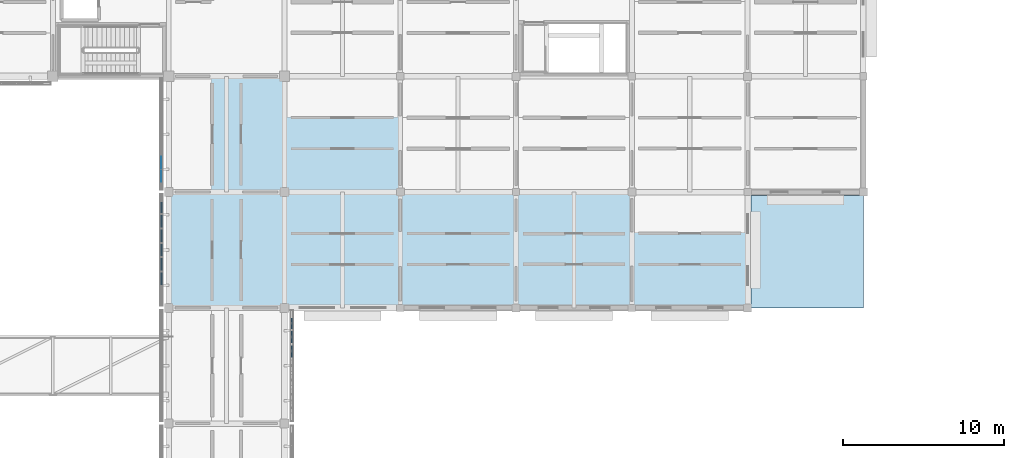
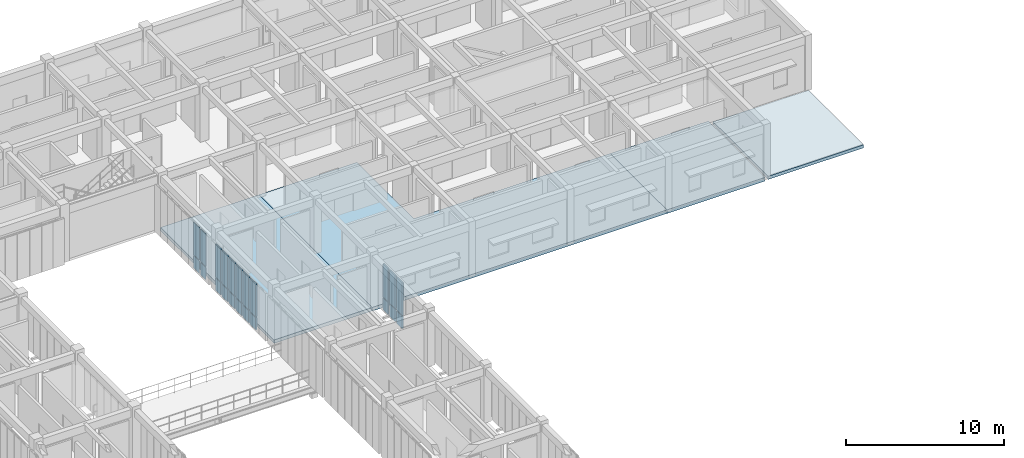
# One storey, part 52 of 91: 22 plates, 4 slabs, 3 elements without a shape of their own.
"""IFC4 building model written with IfcOpenShell, lengths in metres."""

from ifc_helpers import new_model, si_unit, direction, frame, origin, origin_2d, place, context, subcontext, project, spatial, polyline, rectangle, outline, extrude, material, layer, layer_set, type_object, element, aggregate, save


model = new_model("IFC4")

# Units and contexts
model_context = context("Model", 3, precision=1e-05, world=origin(), true_north=direction((0.0, 1.0)))
body_context = subcontext(model_context, "Body", "Model", "MODEL_VIEW")
ifc_project = project(units=[si_unit("LENGTHUNIT", "METRE"), si_unit("AREAUNIT", "SQUARE_METRE"), si_unit("VOLUMEUNIT", "CUBIC_METRE"), si_unit("PLANEANGLEUNIT", "RADIAN"), si_unit("MASSUNIT", "GRAM", prefix="KILO")], contexts=[model_context])

# Site, building, storey
site_placement = place(None, origin())
site = spatial("IfcSite", under=ifc_project, at=site_placement, CompositionType="ELEMENT")
building_placement = place(site_placement, origin())
building = spatial("IfcBuilding", under=site, at=building_placement, Name="Aldebral Square Health Centre", CompositionType="ELEMENT")
storey_placement = place(building_placement, frame((0.0, 0.0, 9.0)))
storey = spatial("IfcBuildingStorey", under=building, at=storey_placement, Name="L02", CompositionType="ELEMENT", Elevation=9.0)

# Curtain wall, plates
ifc_material_1 = material(Name="Aluminium and low-E solar glass", Category="aluminium")
curtain_wall_type = type_object("IfcCurtainWallType", Name="CW-FIN-SYS", PredefinedType="USERDEFINED", material=ifc_material_1)
curtain_wall_1_placement = place(storey_placement, origin())
curtain_wall_1 = element("IfcCurtainWall", 1, at=curtain_wall_1_placement, inside=storey, type_object=curtain_wall_type, Name="L02 V4 finned curtain wall L02-V4-03-13-W", ObjectType="SOLAR_CURTAIN_WALL", PredefinedType="USERDEFINED")
ifc_material_2 = material(Name="Solar-control low-E double glass", Category="glass")
ifc_layer_1 = layer(ifc_material_2, 0.02001953125, Name="Solar-control low-E double glass", Category="glass")
ifc_layer_set_1 = layer_set([ifc_layer_1], Name="Solar-control low-E double glass")
plate_type_1 = type_object("IfcPlateType", Name="CWP-GLZ-1", PredefinedType="CURTAIN_PANEL", material=ifc_layer_set_1)
plate_1_placement = place(storey_placement, frame((21.139892578125, 95.417236328125, 0.074951171875), z_axis=(0.0, 0.0, 1.0), x_axis=(0.0, -1.0, 0.0)))
plate_1 = element("IfcPlate", 2, at=plate_1_placement, type_object=plate_type_1, Name="CW1 panel 6.1", PredefinedType="CURTAIN_PANEL", context=body_context, shape_type="SweptSolid", body=[
    extrude(rectangle(XDim=0.7314453125, YDim=0.02001953125, at=origin_2d()), origin(), (0.0, 0.0, 1.0), 0.9375),
])
plate_2_placement = place(storey_placement, frame((21.139892578125, 95.417236328125, 1.08740234375), z_axis=(0.0, 0.0, 1.0), x_axis=(0.0, -1.0, 0.0)))
plate_2 = element("IfcPlate", 3, at=plate_2_placement, type_object=plate_type_1, Name="CW1 panel 6.2", PredefinedType="CURTAIN_PANEL", context=body_context, shape_type="SweptSolid", body=[
    extrude(rectangle(XDim=0.7314453125, YDim=0.02001953125, at=origin_2d()), origin(), (0.0, 0.0, 1.0), 2.527587890625),
])
plate_3_placement = place(storey_placement, frame((21.139892578125, 94.565673828125, 0.074951171875), z_axis=(0.0, 0.0, 1.0), x_axis=(0.0, -1.0, 0.0)))
plate_3 = element("IfcPlate", 4, at=plate_3_placement, type_object=plate_type_1, Name="CW1 panel 7.1", PredefinedType="CURTAIN_PANEL", context=body_context, shape_type="SweptSolid", body=[
    extrude(rectangle(XDim=0.6513671875, YDim=0.02001953125, at=origin_2d()), origin(), (0.0, 0.0, 1.0), 0.9375),
])
plate_4_placement = place(storey_placement, frame((21.139892578125, 94.565673828125, 1.08740234375), z_axis=(0.0, 0.0, 1.0), x_axis=(0.0, -1.0, 0.0)))
plate_4 = element("IfcPlate", 5, at=plate_4_placement, type_object=plate_type_1, Name="CW1 panel 7.2", PredefinedType="CURTAIN_PANEL", context=body_context, shape_type="SweptSolid", body=[
    extrude(rectangle(XDim=0.6513671875, YDim=0.02001953125, at=origin_2d()), origin(), (0.0, 0.0, 1.0), 2.527587890625),
])
aggregate(curtain_wall_1, [plate_1, plate_2, plate_3, plate_4])

curtain_wall_2_placement = place(storey_placement, origin())
curtain_wall_2 = element("IfcCurtainWall", 6, at=curtain_wall_2_placement, inside=storey, type_object=curtain_wall_type, Name="L02 V4 finned curtain wall L02-V4-03-11-E", ObjectType="SOLAR_CURTAIN_WALL", PredefinedType="USERDEFINED")
ifc_layer_2 = layer(ifc_material_2, 0.080078125, Name="Solar-control low-E double glass", Category="glass")
ifc_layer_set_2 = layer_set([ifc_layer_2], Name="Solar-control low-E double glass")
plate_type_2 = type_object("IfcPlateType", Name="CWP-GLZ-7", PredefinedType="CURTAIN_PANEL", material=ifc_layer_set_2)
plate_5_placement = place(storey_placement, frame((29.260009765625, 83.69140625, 0.074951171875), z_axis=(0.0, 0.0, 1.0), x_axis=(0.0, 1.0, 0.0)))
plate_5 = element("IfcPlate", 7, at=plate_5_placement, type_object=plate_type_2, Name="CW1 panel 5.1", PredefinedType="CURTAIN_PANEL", context=body_context, shape_type="SweptSolid", body=[
    extrude(rectangle(XDim=0.7314453125, YDim=0.080078125, at=origin_2d()), origin(), (0.0, 0.0, 1.0), 0.9375),
])
plate_6_placement = place(storey_placement, frame((29.260009765625, 83.69140625, 1.08740234375), z_axis=(0.0, 0.0, 1.0), x_axis=(0.0, 1.0, 0.0)))
plate_6 = element("IfcPlate", 8, at=plate_6_placement, type_object=plate_type_2, Name="CW1 panel 5.2", PredefinedType="CURTAIN_PANEL", context=body_context, shape_type="SweptSolid", body=[
    extrude(rectangle(XDim=0.7314453125, YDim=0.080078125, at=origin_2d()), origin(), (0.0, 0.0, 1.0), 2.527587890625),
])
plate_7_placement = place(storey_placement, frame((29.260009765625, 84.582763671875, 0.074951171875), z_axis=(0.0, 0.0, 1.0), x_axis=(0.0, 1.0, 0.0)))
plate_7 = element("IfcPlate", 9, at=plate_7_placement, type_object=plate_type_2, Name="CW1 panel 6.1", PredefinedType="CURTAIN_PANEL", context=body_context, shape_type="SweptSolid", body=[
    extrude(rectangle(XDim=0.7314453125, YDim=0.080078125, at=origin_2d()), origin(), (0.0, 0.0, 1.0), 0.9375),
])
plate_8_placement = place(storey_placement, frame((29.260009765625, 84.582763671875, 1.08740234375), z_axis=(0.0, 0.0, 1.0), x_axis=(0.0, 1.0, 0.0)))
plate_8 = element("IfcPlate", 10, at=plate_8_placement, type_object=plate_type_2, Name="CW1 panel 6.2", PredefinedType="CURTAIN_PANEL", context=body_context, shape_type="SweptSolid", body=[
    extrude(rectangle(XDim=0.7314453125, YDim=0.080078125, at=origin_2d()), origin(), (0.0, 0.0, 1.0), 2.527587890625),
])
plate_9_placement = place(storey_placement, frame((29.260009765625, 85.434326171875, 0.074951171875), z_axis=(0.0, 0.0, 1.0), x_axis=(0.0, 1.0, 0.0)))
plate_9 = element("IfcPlate", 11, at=plate_9_placement, type_object=plate_type_2, Name="CW1 panel 7.1", PredefinedType="CURTAIN_PANEL", context=body_context, shape_type="SweptSolid", body=[
    extrude(rectangle(XDim=0.6513671875, YDim=0.080078125, at=origin_2d()), origin(), (0.0, 0.0, 1.0), 0.9375),
])
plate_10_placement = place(storey_placement, frame((29.260009765625, 85.434326171875, 1.08740234375), z_axis=(0.0, 0.0, 1.0), x_axis=(0.0, 1.0, 0.0)))
plate_10 = element("IfcPlate", 12, at=plate_10_placement, type_object=plate_type_2, Name="CW1 panel 7.2", PredefinedType="CURTAIN_PANEL", context=body_context, shape_type="SweptSolid", body=[
    extrude(rectangle(XDim=0.6513671875, YDim=0.080078125, at=origin_2d()), origin(), (0.0, 0.0, 1.0), 2.527587890625),
])
aggregate(curtain_wall_2, [plate_5, plate_6, plate_7, plate_8, plate_9, plate_10])

curtain_wall_3_placement = place(storey_placement, origin())
curtain_wall_3 = element("IfcCurtainWall", 13, at=curtain_wall_3_placement, inside=storey, type_object=curtain_wall_type, Name="L02 V4 finned curtain wall L02-V4-03-12-W", ObjectType="SOLAR_CURTAIN_WALL", PredefinedType="USERDEFINED")
ifc_layer_3 = layer(ifc_material_2, 0.090087890625, Name="Solar-control low-E double glass", Category="glass")
ifc_layer_set_3 = layer_set([ifc_layer_3], Name="Solar-control low-E double glass")
plate_type_3 = type_object("IfcPlateType", Name="CWP-GLZ-8", PredefinedType="CURTAIN_PANEL", material=ifc_layer_set_3)
plate_11_placement = place(storey_placement, frame((21.139892578125, 92.63427734375, 0.074951171875), z_axis=(0.0, 0.0, 1.0), x_axis=(0.0, -1.0, 0.0)))
plate_11 = element("IfcPlate", 14, at=plate_11_placement, type_object=plate_type_3, Name="CW1 panel 1.1", PredefinedType="CURTAIN_PANEL", context=body_context, shape_type="SweptSolid", body=[
    extrude(rectangle(XDim=0.6513671875, YDim=0.090087890625, at=origin_2d()), origin(), (0.0, 0.0, 1.0), 0.9375),
])
plate_12_placement = place(storey_placement, frame((21.139892578125, 92.63427734375, 1.08740234375), z_axis=(0.0, 0.0, 1.0), x_axis=(0.0, -1.0, 0.0)))
plate_12 = element("IfcPlate", 15, at=plate_12_placement, type_object=plate_type_3, Name="CW1 panel 1.2", PredefinedType="CURTAIN_PANEL", context=body_context, shape_type="SweptSolid", body=[
    extrude(rectangle(XDim=0.6513671875, YDim=0.090087890625, at=origin_2d()), origin(), (0.0, 0.0, 1.0), 2.527587890625),
])
plate_13_placement = place(storey_placement, frame((21.139892578125, 91.782958984375, 0.074951171875), z_axis=(0.0, 0.0, 1.0), x_axis=(0.0, -1.0, 0.0)))
plate_13 = element("IfcPlate", 16, at=plate_13_placement, type_object=plate_type_3, Name="CW1 panel 2.1", PredefinedType="CURTAIN_PANEL", context=body_context, shape_type="SweptSolid", body=[
    extrude(rectangle(XDim=0.7314453125, YDim=0.090087890625, at=origin_2d()), origin(), (0.0, 0.0, 1.0), 0.9375),
])
plate_14_placement = place(storey_placement, frame((21.139892578125, 91.782958984375, 1.08740234375), z_axis=(0.0, 0.0, 1.0), x_axis=(0.0, -1.0, 0.0)))
plate_14 = element("IfcPlate", 17, at=plate_14_placement, type_object=plate_type_3, Name="CW1 panel 2.2", PredefinedType="CURTAIN_PANEL", context=body_context, shape_type="SweptSolid", body=[
    extrude(rectangle(XDim=0.7314453125, YDim=0.090087890625, at=origin_2d()), origin(), (0.0, 0.0, 1.0), 2.527587890625),
])
plate_15_placement = place(storey_placement, frame((21.139892578125, 90.891357421875, 0.074951171875), z_axis=(0.0, 0.0, 1.0), x_axis=(0.0, -1.0, 0.0)))
plate_15 = element("IfcPlate", 18, at=plate_15_placement, type_object=plate_type_3, Name="CW1 panel 3.1", PredefinedType="CURTAIN_PANEL", context=body_context, shape_type="SweptSolid", body=[
    extrude(rectangle(XDim=0.7314453125, YDim=0.090087890625, at=origin_2d()), origin(), (0.0, 0.0, 1.0), 0.9375),
])
plate_16_placement = place(storey_placement, frame((21.139892578125, 90.891357421875, 1.08740234375), z_axis=(0.0, 0.0, 1.0), x_axis=(0.0, -1.0, 0.0)))
plate_16 = element("IfcPlate", 19, at=plate_16_placement, type_object=plate_type_3, Name="CW1 panel 3.2", PredefinedType="CURTAIN_PANEL", context=body_context, shape_type="SweptSolid", body=[
    extrude(rectangle(XDim=0.7314453125, YDim=0.090087890625, at=origin_2d()), origin(), (0.0, 0.0, 1.0), 2.527587890625),
])
plate_17_placement = place(storey_placement, frame((21.139892578125, 90.0, 0.074951171875), z_axis=(0.0, 0.0, 1.0), x_axis=(0.0, -1.0, 0.0)))
plate_17 = element("IfcPlate", 20, at=plate_17_placement, type_object=plate_type_3, Name="CW1 panel 4.1", PredefinedType="CURTAIN_PANEL", context=body_context, shape_type="SweptSolid", body=[
    extrude(rectangle(XDim=0.7314453125, YDim=0.090087890625, at=origin_2d()), origin(), (0.0, 0.0, 1.0), 0.9375),
])
plate_18_placement = place(storey_placement, frame((21.139892578125, 90.0, 1.08740234375), z_axis=(0.0, 0.0, 1.0), x_axis=(0.0, -1.0, 0.0)))
plate_18 = element("IfcPlate", 21, at=plate_18_placement, type_object=plate_type_3, Name="CW1 panel 4.2", PredefinedType="CURTAIN_PANEL", context=body_context, shape_type="SweptSolid", body=[
    extrude(rectangle(XDim=0.7314453125, YDim=0.090087890625, at=origin_2d()), origin(), (0.0, 0.0, 1.0), 2.527587890625),
])
plate_19_placement = place(storey_placement, frame((21.139892578125, 89.108642578125, 0.074951171875), z_axis=(0.0, 0.0, 1.0), x_axis=(0.0, -1.0, 0.0)))
plate_19 = element("IfcPlate", 22, at=plate_19_placement, type_object=plate_type_3, Name="CW1 panel 5.1", PredefinedType="CURTAIN_PANEL", context=body_context, shape_type="SweptSolid", body=[
    extrude(rectangle(XDim=0.7314453125, YDim=0.090087890625, at=origin_2d()), origin(), (0.0, 0.0, 1.0), 0.9375),
])
plate_20_placement = place(storey_placement, frame((21.139892578125, 89.108642578125, 1.08740234375), z_axis=(0.0, 0.0, 1.0), x_axis=(0.0, -1.0, 0.0)))
plate_20 = element("IfcPlate", 23, at=plate_20_placement, type_object=plate_type_3, Name="CW1 panel 5.2", PredefinedType="CURTAIN_PANEL", context=body_context, shape_type="SweptSolid", body=[
    extrude(rectangle(XDim=0.7314453125, YDim=0.090087890625, at=origin_2d()), origin(), (0.0, 0.0, 1.0), 2.527587890625),
])
plate_21_placement = place(storey_placement, frame((21.139892578125, 88.217041015625, 0.074951171875), z_axis=(0.0, 0.0, 1.0), x_axis=(0.0, -1.0, 0.0)))
plate_21 = element("IfcPlate", 24, at=plate_21_placement, type_object=plate_type_3, Name="CW1 panel 6.1", PredefinedType="CURTAIN_PANEL", context=body_context, shape_type="SweptSolid", body=[
    extrude(rectangle(XDim=0.7314453125, YDim=0.090087890625, at=origin_2d()), origin(), (0.0, 0.0, 1.0), 0.9375),
])
plate_22_placement = place(storey_placement, frame((21.139892578125, 88.217041015625, 1.08740234375), z_axis=(0.0, 0.0, 1.0), x_axis=(0.0, -1.0, 0.0)))
plate_22 = element("IfcPlate", 25, at=plate_22_placement, type_object=plate_type_3, Name="CW1 panel 6.2", PredefinedType="CURTAIN_PANEL", context=body_context, shape_type="SweptSolid", body=[
    extrude(rectangle(XDim=0.7314453125, YDim=0.090087890625, at=origin_2d()), origin(), (0.0, 0.0, 1.0), 2.527587890625),
])
aggregate(curtain_wall_3, [plate_11, plate_12, plate_13, plate_14, plate_15, plate_16, plate_17, plate_18, plate_19, plate_20, plate_21, plate_22])

# Slabs
ifc_material_3 = material(Name="Concrete C35/45", Category="concrete")
ifc_layer_4 = layer(ifc_material_3, 0.260009765625, Name="Concrete C35/45", Category="concrete")
ifc_layer_set_4 = layer_set([ifc_layer_4], Name="Concrete C35/45")
slab_type_1 = type_object("IfcSlabType", Name="SL-FLR-260", PredefinedType="FLOOR", material=ifc_layer_set_4)
slab_1_placement = place(storey_placement, frame((0.0, 0.0, -0.260009765625)))
element("IfcSlab", 26, at=slab_1_placement, inside=storey, type_object=slab_type_1, Name="L02 V4 floor slab 10", PredefinedType="FLOOR", context=body_context, shape_type="SweptSolid", body=[
    extrude(outline(polyline([(21.60009765625, 86.39990234375), (21.60009765625, 93.60009765625), (21.60009765625, 100.800048828125), (28.800048828125, 100.800048828125), (28.800048828125, 93.60009765625), (28.800048828125, 86.39990234375), (21.60009765625, 86.39990234375)])), origin(), (0.0, 0.0, 1.0), 0.260009765625),
])
ifc_layer_5 = layer(ifc_material_3, 0.280029296875, Name="Concrete C35/45", Category="concrete")
ifc_layer_set_5 = layer_set([ifc_layer_5], Name="Concrete C35/45")
slab_type_2 = type_object("IfcSlabType", Name="SL-FLR-280", PredefinedType="FLOOR", material=ifc_layer_set_5)
slab_2_placement = place(storey_placement, frame((0.0, 0.0, -0.280029296875)))
element("IfcSlab", 27, at=slab_2_placement, inside=storey, type_object=slab_type_2, Name="L02 V2 floor slab 1", PredefinedType="FLOOR", context=body_context, shape_type="SweptSolid", body=[
    extrude(outline(polyline([(28.800048828125, 100.800048828125), (36.0, 100.800048828125), (36.0, 93.60009765625), (43.199951171875, 93.60009765625), (50.39990234375, 93.60009765625), (50.39990234375, 86.39990234375), (43.199951171875, 86.39990234375), (36.0, 86.39990234375), (28.800048828125, 86.39990234375), (28.800048828125, 93.60009765625), (28.800048828125, 100.800048828125)])), origin(), (0.0, 0.0, 1.0), 0.280029296875),
])
slab_3_placement = place(storey_placement, frame((0.0, 0.0, -0.280029296875)))
element("IfcSlab", 28, at=slab_3_placement, inside=storey, type_object=slab_type_2, Name="L02 V2 floor slab 5", PredefinedType="FLOOR", context=body_context, shape_type="SweptSolid", body=[
    extrude(outline(polyline([(50.39990234375, 86.39990234375), (50.39990234375, 93.60009765625), (57.60009765625, 93.60009765625), (57.60009765625, 86.39990234375), (50.39990234375, 86.39990234375)])), origin(), (0.0, 0.0, 1.0), 0.280029296875),
])
ifc_layer_6 = layer(ifc_material_3, 0.239990234375, Name="Concrete C35/45", Category="concrete")
ifc_layer_set_6 = layer_set([ifc_layer_6], Name="Concrete C35/45")
slab_type_3 = type_object("IfcSlabType", Name="SL-RF-240", PredefinedType="ROOF", material=ifc_layer_set_6)
slab_4_placement = place(storey_placement, frame((0.0, 0.0, -0.239990234375)))
element("IfcSlab", 29, at=slab_4_placement, inside=storey, type_object=slab_type_3, Name="L01 V2 roof slab 1", PredefinedType="ROOF", context=body_context, shape_type="SweptSolid", body=[
    extrude(outline(polyline([(64.800048828125, 86.39990234375), (57.820068359375, 86.39990234375), (57.820068359375, 93.3798828125), (64.800048828125, 93.3798828125), (64.800048828125, 86.39990234375)])), origin(), (0.0, 0.0, 1.0), 0.239990234375),
])

save(model, "model.ifc")
